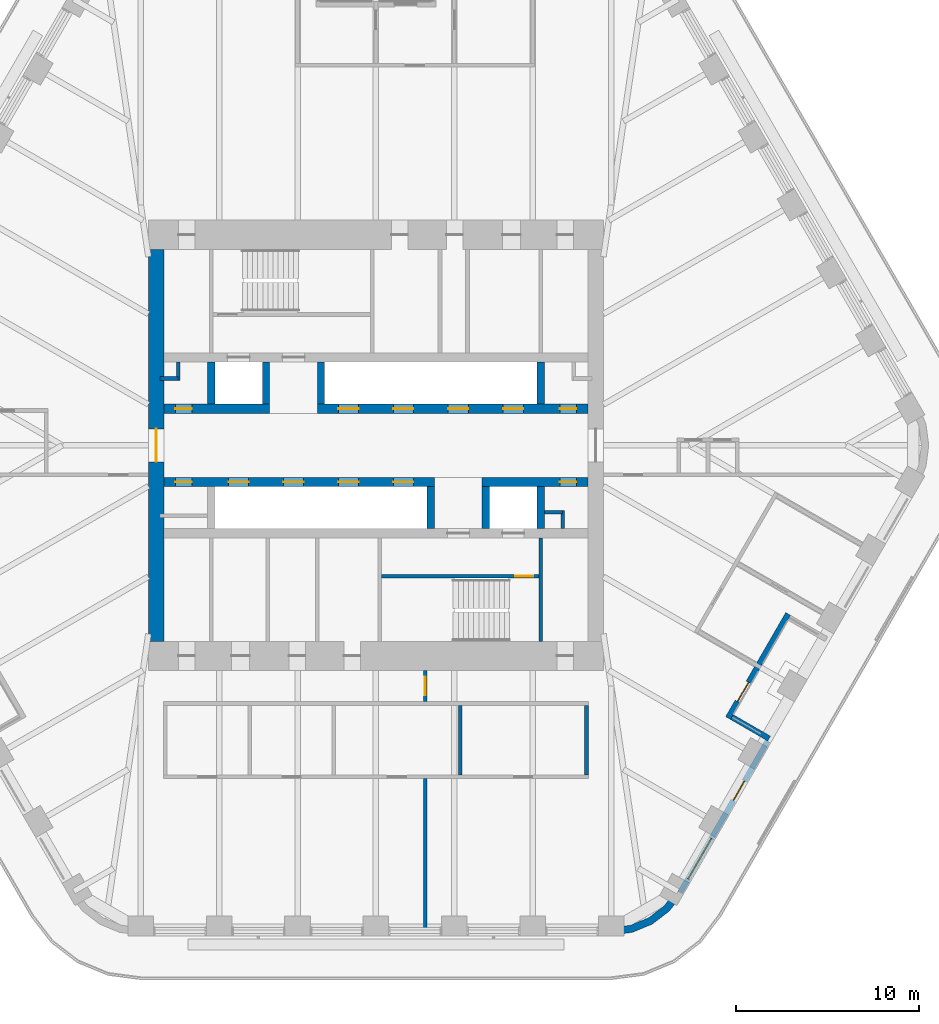
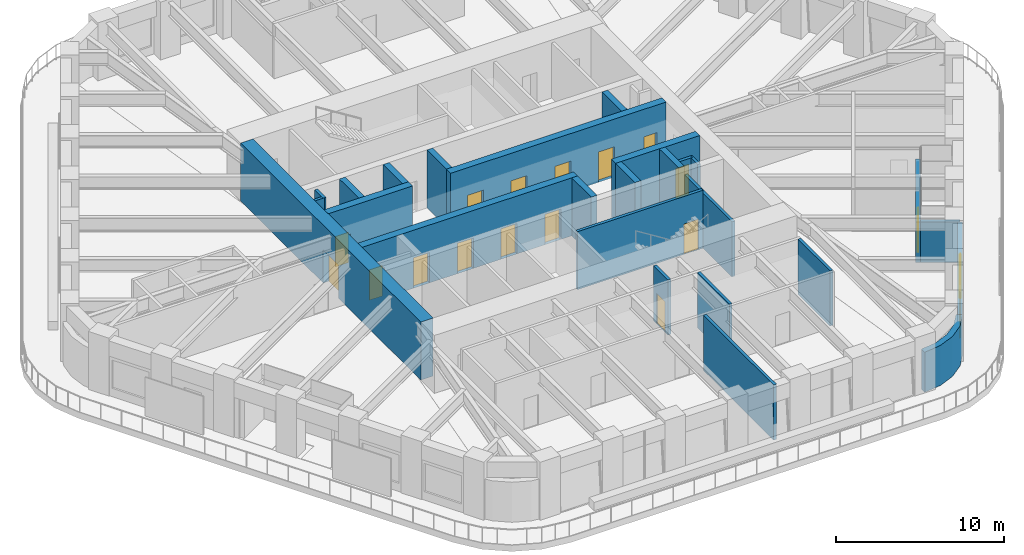
# One storey, part 14 of 19: 26 walls, 17 doors, 1 window, 18 openings.
"""IFC4 building model written with IfcOpenShell, lengths in metres."""

from ifc_helpers import new_model, si_unit, direction, frame, frame_2d, origin, place, context, subcontext, project, spatial, polyline, rectangle, outline, extrude, material, layer, layer_set, type_object, element, fill, save


model = new_model("IFC4")

# Units and contexts
model_context = context("Model", 3, precision=1e-05, world=origin(), true_north=direction((0.0, 1.0)))
body_context = subcontext(model_context, "Body", "Model", "MODEL_VIEW")
ifc_project = project(units=[si_unit("LENGTHUNIT", "METRE"), si_unit("AREAUNIT", "SQUARE_METRE"), si_unit("VOLUMEUNIT", "CUBIC_METRE"), si_unit("PLANEANGLEUNIT", "RADIAN"), si_unit("MASSUNIT", "GRAM", prefix="KILO")], contexts=[model_context])

# Site, building, storey
site_placement = place(None, origin())
site = spatial("IfcSite", under=ifc_project, at=site_placement, CompositionType="ELEMENT")
building_placement = place(site_placement, origin())
building = spatial("IfcBuilding", under=site, at=building_placement, Name="Tarfa Lantern Tower", CompositionType="ELEMENT")
storey_placement = place(building_placement, frame((0.0, 0.0, 328.300048828125)))
storey = spatial("IfcBuildingStorey", under=building, at=storey_placement, Name="L74", CompositionType="ELEMENT", Elevation=328.300048828125)

# Wall, openings, door, window
ifc_material_1 = material(Name="Limestone cladding on blockwork", Category="masonry")
ifc_layer_1 = layer(ifc_material_1, 0.300048828125)
ifc_layer_set_1 = layer_set([ifc_layer_1], Name="EW1 STONE-CLAD WALL 300")
wall_type_1 = type_object("IfcWallType", Name="EW1 STONE-CLAD WALL 300", PredefinedType="SOLIDWALL", material=ifc_layer_set_1)
wall_1_placement = place(storey_placement, frame((16.61328125, -24.425048828125, 0.0), z_axis=(0.0, 0.0, 1.0), x_axis=(0.499996453679, 0.866027451244, 0.0)))
wall_1 = element("IfcWall", 1, at=wall_1_placement, inside=storey, type_object=wall_type_1, Name="Stone wall SE", PredefinedType="SOLIDWALL", context=body_context, shape_type="SweptSolid", body=[
    extrude(rectangle(XDim=9.56396484375, YDim=0.300048828125, at=frame_2d((4.781982421875, 0.0))), origin(), (0.0, 0.0, 1.0), 2.89990234375),
])
opening_1_placement = place(wall_1_placement, frame((0.865966796875, 0.0, 0.60009765625)))
opening_1 = element("IfcOpeningElement", 2, at=opening_1_placement, cuts=wall_1, Name="Opening W17", PredefinedType="OPENING", context=body_context, shape_type="SweptSolid", body=[
    extrude(rectangle(XDim=2.550048828125, YDim=2.050048828125, at=frame_2d((1.27490234375, 1.02490234375))), frame((0.0, 0.159912109375, 0.0), z_axis=(0.0, -1.0, 0.0), x_axis=(1.0, 0.0, 0.0)), (0.0, 0.0, 1.0), 0.320068359375),
])
opening_2_placement = place(wall_1_placement, frame((5.822998046875, 0.0, 0.0)))
opening_2 = element("IfcOpeningElement", 3, at=opening_2_placement, cuts=wall_1, Name="Opening D39", PredefinedType="OPENING", context=body_context, shape_type="SweptSolid", body=[
    extrude(rectangle(XDim=1.199951171875, YDim=2.39990234375, at=frame_2d((0.60009765625, 1.199951171875))), frame((0.0, 0.159912109375, 0.0), z_axis=(0.0, -1.0, 0.0), x_axis=(1.0, 0.0, 0.0)), (0.0, 0.0, 1.0), 0.320068359375),
])
ifc_material_2 = material(Name="Aluminium framed glazed door", Category="aluminium")
door_type_1 = type_object("IfcDoorType", Name="BE3 BALCONY DOOR 1200x2400", OperationType="SINGLE_SWING_RIGHT", PredefinedType="DOOR", material=ifc_material_2)
door_1_placement = place(opening_2_placement, origin())
door_1 = element("IfcDoor", 4, at=door_1_placement, inside=storey, type_object=door_type_1, Name="Balcony door SE", OperationType="SINGLE_SWING_LEFT", OverallHeight=2.39990234375, OverallWidth=1.199951171875, PredefinedType="DOOR", context=body_context, shape_type="SweptSolid", body=[
    extrude(rectangle(XDim=1.199951171875, YDim=2.39990234375, at=frame_2d((0.60009765625, 1.199951171875))), frame((0.0, 0.02490234375, 0.0), z_axis=(0.0, -1.0, 0.0), x_axis=(1.0, 0.0, 0.0)), (0.0, 0.0, 1.0), 0.050048828125),
])
fill(opening_2, door_1)
ifc_material_3 = material(Name="Aluminium frame, double glazed", Category="aluminium")
window_type = type_object("IfcWindowType", Name="W17 FULL-HEIGHT GLAZING 2550x2050", PartitioningType="SINGLE_PANEL", PredefinedType="WINDOW", material=ifc_material_3)
window_placement = place(opening_1_placement, origin())
window = element("IfcWindow", 5, at=window_placement, inside=storey, type_object=window_type, Name="Window SE 1", OverallHeight=2.050048828125, OverallWidth=2.550048828125, PartitioningType="SINGLE_PANEL", PredefinedType="WINDOW", context=body_context, shape_type="SweptSolid", body=[
    extrude(rectangle(XDim=2.550048828125, YDim=2.050048828125, at=frame_2d((1.27490234375, 1.02490234375))), frame((0.0, 0.030029296875, 0.0), z_axis=(0.0, -1.0, 0.0), x_axis=(1.0, 0.0, 0.0)), (0.0, 0.0, 1.0), 0.06005859375),
])
fill(opening_1, window)

# Wall
wall_2_placement = place(storey_placement, frame((21.47021484375, -16.012451171875, 0.0), z_axis=(0.0, 0.0, 1.0), x_axis=(-0.866016039709, 0.500016218704, 0.0)))
element("IfcWall", 6, at=wall_2_placement, inside=storey, type_object=wall_type_1, Name="Terrace return SE 1", PredefinedType="SOLIDWALL", context=body_context, shape_type="SweptSolid", body=[
    extrude(rectangle(XDim=2.35009765625, YDim=0.300048828125, at=frame_2d((1.175048828125, 0.0))), origin(), (0.0, 0.0, 1.0), 2.89990234375),
])

# Wall, opening, door
wall_3_placement = place(storey_placement, frame((19.230224609375, -14.892333984375, 0.0), z_axis=(0.0, 0.0, 1.0), x_axis=(0.499999339774, 0.866025784966, 0.0)))
wall_3 = element("IfcWall", 7, at=wall_3_placement, inside=storey, type_object=wall_type_1, Name="Stone wall SES", PredefinedType="SOLIDWALL", context=body_context, shape_type="SweptSolid", body=[
    extrude(rectangle(XDim=6.56396484375, YDim=0.300048828125, at=frame_2d((3.281982421875, 0.0))), origin(), (0.0, 0.0, 1.0), 2.89990234375),
])
opening_3_placement = place(wall_3_placement, frame((1.041015625, 0.0, 0.0)))
opening_3 = element("IfcOpeningElement", 8, at=opening_3_placement, cuts=wall_3, Name="Opening D40", PredefinedType="OPENING", context=body_context, shape_type="SweptSolid", body=[
    extrude(rectangle(XDim=1.199951171875, YDim=2.39990234375, at=frame_2d((0.60009765625, 1.199951171875))), frame((0.0, 0.159912109375, 0.0), z_axis=(0.0, -1.0, 0.0), x_axis=(1.0, 0.0, 0.0)), (0.0, 0.0, 1.0), 0.320068359375),
])
door_2_placement = place(opening_3_placement, origin())
door_2 = element("IfcDoor", 9, at=door_2_placement, inside=storey, type_object=door_type_1, Name="Balcony door SES", OperationType="SINGLE_SWING_LEFT", OverallHeight=2.39990234375, OverallWidth=1.199951171875, PredefinedType="DOOR", context=body_context, shape_type="SweptSolid", body=[
    extrude(rectangle(XDim=1.199951171875, YDim=2.39990234375, at=frame_2d((0.60009765625, 1.199951171875))), frame((0.0, 0.02490234375, 0.0), z_axis=(0.0, -1.0, 0.0), x_axis=(1.0, 0.0, 0.0)), (0.0, 0.0, 1.0), 0.050048828125),
])
fill(opening_3, door_2)

# Walls
ifc_layer_2 = layer(ifc_material_1, 0.39990234375)
ifc_layer_set_2 = layer_set([ifc_layer_2], Name="EW2 CURVED STONE CORNER 400")
wall_type_2 = type_object("IfcWallType", Name="EW2 CURVED STONE CORNER 400", PredefinedType="SOLIDWALL", material=ifc_layer_set_2)
wall_4_placement = place(storey_placement, origin())
element("IfcWall", 10, at=wall_4_placement, inside=storey, type_object=wall_type_2, Name="Stone corner S-SE", PredefinedType="SOLIDWALL", context=body_context, shape_type="SweptSolid", body=[
    extrude(outline(polyline([(12.845947265625, -26.75), (14.0107421875, -26.5966796875), (15.095947265625, -26.147216796875), (16.028076171875, -25.431884765625), (16.7431640625, -24.5), (16.396728515625, -24.300048828125), (15.7451171875, -25.149169921875), (14.89599609375, -25.80078125), (13.9072265625, -26.210205078125), (12.845947265625, -26.35009765625), (12.845947265625, -26.75)])), origin(), (0.0, 0.0, 1.0), 2.89990234375),
])
ifc_material_4 = material(Name="Concrete blockwork", Category="masonry")
ifc_layer_3 = layer(ifc_material_4, 0.199951171875)
ifc_layer_set_3 = layer_set([ifc_layer_3], Name="IW1 BLOCKWORK PARTITION 200 EI 120")
wall_type_3 = type_object("IfcWallType", Name="IW1 BLOCKWORK PARTITION 200 EI 120", PredefinedType="PARTITIONING", material=ifc_layer_set_3)
wall_5_placement = place(storey_placement, frame((9.0, -5.050048828125, 0.0), z_axis=(0.0, 0.0, 1.0), x_axis=(0.0, -1.0, 0.0)))
element("IfcWall", 11, at=wall_5_placement, inside=storey, type_object=wall_type_3, Name="Core partition", PredefinedType="PARTITIONING", context=body_context, shape_type="SweptSolid", body=[
    extrude(rectangle(XDim=5.64990234375, YDim=0.199951171875, at=frame_2d((2.824951171875, 0.0))), origin(), (0.0, 0.0, 1.0), 4.0),
])
for number, where, z_axis, x_axis, name in (
    (12, (-11.800048828125, 3.64990234375, 0.0), (0.0, 0.0, 1.0), (1.0, 0.0, 0.0), "Core partition"),
    (13, (-10.800048828125, 3.550048828125, 0.0), (0.0, 0.0, 1.0), (0.0, 1.0, 0.0), "Core partition"),
    (14, (10.199951171875, -3.64990234375, 0.0), (0.0, 0.0, 1.0), (-1.0, 0.0, 0.0), "Core partition"),
    (15, (10.199951171875, -3.550048828125, 0.0), (0.0, 0.0, 1.0), (0.0, -1.0, 0.0), "Core partition"),
):
    element("IfcWall", number, at=place(storey_placement, frame(where, z_axis=z_axis, x_axis=x_axis)), inside=storey, type_object=wall_type_3, Name=name, PredefinedType="PARTITIONING", context=body_context, shape_type="SweptSolid", body=[
        extrude(rectangle(XDim=1.0, YDim=0.199951171875, at=frame_2d((0.5, 0.0))), origin(), (0.0, 0.0, 1.0), 4.0),
    ])
ifc_material_5 = material(Name="Gypsum board on steel studs", Category="steel")
ifc_layer_4 = layer(ifc_material_5, 0.2099609375)
ifc_layer_set_4 = layer_set([ifc_layer_4], Name="IW2 ACOUSTIC PARTITION 200")
wall_type_4 = type_object("IfcWallType", Name="IW2 ACOUSTIC PARTITION 200", PredefinedType="PARTITIONING", material=ifc_layer_set_4)
for number, where, z_axis, x_axis, name in (
    (16, (11.5, -14.199951171875, 0.0), (0.0, 0.0, 1.0), (0.0, -1.0, 0.0), "Partition"),
    (17, (4.60009765625, -14.199951171875, 0.0), (0.0, 0.0, 1.0), (0.0, -1.0, 0.0), "Partition"),
):
    element("IfcWall", number, at=place(storey_placement, frame(where, z_axis=z_axis, x_axis=x_axis)), inside=storey, type_object=wall_type_4, Name=name, PredefinedType="PARTITIONING", context=body_context, shape_type="SweptSolid", body=[
        extrude(rectangle(XDim=3.800048828125, YDim=0.199951171875, at=frame_2d((1.89990234375, 0.0))), origin(), (0.0, 0.0, 1.0), 4.0),
    ])

# Wall, opening, door
wall_6_placement = place(storey_placement, frame((2.699951171875, -12.300048828125, 0.0), z_axis=(0.0, 0.0, 1.0), x_axis=(0.0, -1.0, 0.0)))
wall_6 = element("IfcWall", 18, at=wall_6_placement, inside=storey, type_object=wall_type_4, Name="Partition", PredefinedType="PARTITIONING", context=body_context, shape_type="SweptSolid", body=[
    extrude(rectangle(XDim=1.699951171875, YDim=0.199951171875, at=frame_2d((0.85009765625, 0.0))), origin(), (0.0, 0.0, 1.0), 4.0),
])
opening_4_placement = place(wall_6_placement, frame((0.35009765625, 0.0, 0.0)))
opening_4 = element("IfcOpeningElement", 19, at=opening_4_placement, cuts=wall_6, Name="Opening D35", PredefinedType="OPENING", context=body_context, shape_type="SweptSolid", body=[
    extrude(rectangle(XDim=1.0, YDim=2.199951171875, at=frame_2d((0.5, 1.10009765625))), frame((0.0, 0.10986328125, 0.0), z_axis=(0.0, -1.0, 0.0), x_axis=(1.0, 0.0, 0.0)), (0.0, 0.0, 1.0), 0.219970703125),
])
ifc_material_6 = material(Name="Timber door", Category="wood")
door_type_2 = type_object("IfcDoorType", Name="DR1 ROOM DOOR 1000x2200", OperationType="SINGLE_SWING_LEFT", PredefinedType="DOOR", material=ifc_material_6)
door_3_placement = place(opening_4_placement, origin())
door_3 = element("IfcDoor", 20, at=door_3_placement, inside=storey, type_object=door_type_2, Name="Zone door", OperationType="SINGLE_SWING_LEFT", OverallHeight=2.199951171875, OverallWidth=1.0, PredefinedType="DOOR", context=body_context, shape_type="SweptSolid", body=[
    extrude(rectangle(XDim=1.0, YDim=2.199951171875, at=frame_2d((0.5, 1.10009765625))), frame((0.0, 0.02490234375, 0.0), z_axis=(0.0, -1.0, 0.0), x_axis=(1.0, 0.0, 0.0)), (0.0, 0.0, 1.0), 0.050048828125),
])
fill(opening_4, door_3)

# Wall
wall_7_placement = place(storey_placement, frame((2.699951171875, -18.199951171875, 0.0), z_axis=(0.0, 0.0, 1.0), x_axis=(0.0, -1.0, 0.0)))
element("IfcWall", 21, at=wall_7_placement, inside=storey, type_object=wall_type_4, Name="Partition", PredefinedType="PARTITIONING", context=body_context, shape_type="SweptSolid", body=[
    extrude(rectangle(XDim=8.35009765625, YDim=0.199951171875, at=frame_2d((4.175048828125, 0.0))), origin(), (0.0, 0.0, 1.0), 4.0),
])

# Wall, opening, door
ifc_material_7 = material(Name="Concrete C80/95", Category="concrete")
ifc_layer_5 = layer(ifc_material_7, 0.199951171875)
ifc_layer_set_5 = layer_set([ifc_layer_5], Name="SW12 CORE WALL 200")
wall_type_5 = type_object("IfcWallType", Name="SW12 CORE WALL 200", PredefinedType="SHEAR", material=ifc_layer_set_5)
wall_8_placement = place(storey_placement, frame((8.89990234375, -7.14990234375, 0.0), z_axis=(0.0, 0.0, 1.0), x_axis=(-1.0, 0.0, 0.0)))
wall_8 = element("IfcWall", 22, at=wall_8_placement, inside=storey, type_object=wall_type_5, Name="Core wall stair partition S", PredefinedType="SHEAR", context=body_context, shape_type="SweptSolid", body=[
    extrude(rectangle(XDim=8.599853515625, YDim=0.199951171875, at=frame_2d((4.2998046875, 0.0))), origin(), (0.0, 0.0, 1.0), 4.199951171875),
])
opening_5_placement = place(wall_8_placement, frame((0.300048828125, 0.0, 0.0)))
opening_5 = element("IfcOpeningElement", 23, at=opening_5_placement, cuts=wall_8, Name="Opening D20", PredefinedType="OPENING", context=body_context, shape_type="SweptSolid", body=[
    extrude(rectangle(XDim=1.0, YDim=2.199951171875, at=frame_2d((0.5, 1.10009765625))), frame((0.0, 0.10986328125, 0.0), z_axis=(0.0, -1.0, 0.0), x_axis=(1.0, 0.0, 0.0)), (0.0, 0.0, 1.0), 0.219970703125),
])
ifc_material_8 = material(Name="Steel fire door", Category="steel")
door_type_3 = type_object("IfcDoorType", Name="DF2 STAIR DOOR 1000x2200", OperationType="SINGLE_SWING_LEFT", PredefinedType="DOOR", material=ifc_material_8)
door_4_placement = place(opening_5_placement, origin())
door_4 = element("IfcDoor", 24, at=door_4_placement, inside=storey, type_object=door_type_3, Name="Stair door", OperationType="SINGLE_SWING_RIGHT", OverallHeight=2.199951171875, OverallWidth=1.0, PredefinedType="DOOR", context=body_context, shape_type="SweptSolid", body=[
    extrude(rectangle(XDim=1.0, YDim=2.199951171875, at=frame_2d((0.5, 1.10009765625))), frame((0.0, 0.02490234375, 0.0), z_axis=(0.0, -1.0, 0.0), x_axis=(1.0, 0.0, 0.0)), (0.0, 0.0, 1.0), 0.050048828125),
])
fill(opening_5, door_4)

ifc_layer_6 = layer(ifc_material_7, 0.85009765625)
ifc_layer_set_6 = layer_set([ifc_layer_6], Name="SW3 CORE WALL 850")
wall_type_6 = type_object("IfcWallType", Name="SW3 CORE WALL 850", PredefinedType="SHEAR", material=ifc_layer_set_6)
wall_9_placement = place(storey_placement, frame((-12.0, 10.699951171875, 0.0), z_axis=(0.0, 0.0, 1.0), x_axis=(0.0, -1.0, 0.0)))
wall_9 = element("IfcWall", 25, at=wall_9_placement, inside=storey, type_object=wall_type_6, Name="Core wall W", PredefinedType="SHEAR", context=body_context, shape_type="SweptSolid", body=[
    extrude(rectangle(XDim=21.39990234375, YDim=0.85009765625, at=frame_2d((10.699951171875, 0.0))), origin(), (0.0, 0.0, 1.0), 4.199951171875),
])
opening_6_placement = place(wall_9_placement, frame((9.800048828125, 0.0, 0.0)))
opening_6 = element("IfcOpeningElement", 26, at=opening_6_placement, cuts=wall_9, Name="Opening D08", PredefinedType="OPENING", context=body_context, shape_type="SweptSolid", body=[
    extrude(rectangle(XDim=1.800048828125, YDim=2.39990234375, at=frame_2d((0.89990234375, 1.199951171875))), frame((0.0, 0.43505859375, 0.0), z_axis=(0.0, -1.0, 0.0), x_axis=(1.0, 0.0, 0.0)), (0.0, 0.0, 1.0), 0.8701171875),
])
door_type_4 = type_object("IfcDoorType", Name="DL1 LOBBY DOOR 1800x2400", OperationType="DOUBLE_DOOR_SINGLE_SWING", PredefinedType="DOOR", material=ifc_material_8)
door_5_placement = place(opening_6_placement, frame((1.800048828125, 0.0, 0.0), z_axis=(0.0, 0.0, 1.0), x_axis=(-1.0, 0.0, 0.0)))
door_5 = element("IfcDoor", 27, at=door_5_placement, inside=storey, type_object=door_type_4, Name="Lift lobby door", OperationType="DOUBLE_DOOR_SINGLE_SWING", OverallHeight=2.39990234375, OverallWidth=1.800048828125, PredefinedType="DOOR", context=body_context, shape_type="SweptSolid", body=[
    extrude(rectangle(XDim=1.800048828125, YDim=2.39990234375, at=frame_2d((0.89990234375, 1.199951171875))), frame((0.0, 0.02490234375, 0.0), z_axis=(0.0, -1.0, 0.0), x_axis=(1.0, 0.0, 0.0)), (0.0, 0.0, 1.0), 0.050048828125),
])
fill(opening_6, door_5)

ifc_layer_7 = layer(ifc_material_7, 0.5)
ifc_layer_set_7 = layer_set([ifc_layer_7], Name="SW5 CORE WALL 500")
wall_type_7 = type_object("IfcWallType", Name="SW5 CORE WALL 500", PredefinedType="SHEAR", material=ifc_layer_set_7)
wall_10_placement = place(storey_placement, frame((-11.574951171875, 2.0, 0.0), z_axis=(0.0, 0.0, 1.0), x_axis=(1.0, 0.0, 0.0)))
wall_10 = element("IfcWall", 28, at=wall_10_placement, inside=storey, type_object=wall_type_7, Name="Core wall lobby west N", PredefinedType="SHEAR", context=body_context, shape_type="SweptSolid", body=[
    extrude(rectangle(XDim=5.77490234375, YDim=0.5, at=frame_2d((2.887451171875, 0.0))), origin(), (0.0, 0.0, 1.0), 4.199951171875),
])
opening_7_placement = place(wall_10_placement, frame((0.625, 0.0, 0.0)))
opening_7 = element("IfcOpeningElement", 29, at=opening_7_placement, cuts=wall_10, Name="Opening D11", PredefinedType="OPENING", context=body_context, shape_type="SweptSolid", body=[
    extrude(rectangle(XDim=0.89990234375, YDim=2.199951171875, at=frame_2d((0.449951171875, 1.10009765625))), frame((0.0, 0.260009765625, 0.0), z_axis=(0.0, -1.0, 0.0), x_axis=(1.0, 0.0, 0.0)), (0.0, 0.0, 1.0), 0.52001953125),
])
door_type_5 = type_object("IfcDoorType", Name="DF6 SERVICE ROOM DOOR 900x2200", OperationType="SINGLE_SWING_LEFT", PredefinedType="DOOR", material=ifc_material_8)
door_6_placement = place(opening_7_placement, origin())
door_6 = element("IfcDoor", 30, at=door_6_placement, inside=storey, type_object=door_type_5, Name="Service room door", OperationType="SINGLE_SWING_RIGHT", OverallHeight=2.199951171875, OverallWidth=0.89990234375, PredefinedType="DOOR", context=body_context, shape_type="SweptSolid", body=[
    extrude(rectangle(XDim=0.89990234375, YDim=2.199951171875, at=frame_2d((0.449951171875, 1.10009765625))), frame((0.0, 0.02490234375, 0.0), z_axis=(0.0, -1.0, 0.0), x_axis=(1.0, 0.0, 0.0)), (0.0, 0.0, 1.0), 0.050048828125),
])
fill(opening_7, door_6)

# Wall, openings, doors
wall_11_placement = place(storey_placement, frame((-3.199951171875, 2.0, 0.0), z_axis=(0.0, 0.0, 1.0), x_axis=(1.0, 0.0, 0.0)))
wall_11 = element("IfcWall", 31, at=wall_11_placement, inside=storey, type_object=wall_type_7, Name="Core wall lobby east N", PredefinedType="SHEAR", context=body_context, shape_type="SweptSolid", body=[
    extrude(rectangle(XDim=14.77490234375, YDim=0.5, at=frame_2d((7.387451171875, 0.0))), origin(), (0.0, 0.0, 1.0), 4.199951171875),
])
opening_8_placement = place(wall_11_placement, frame((13.25, 0.0, 0.0)))
opening_8 = element("IfcOpeningElement", 32, at=opening_8_placement, cuts=wall_11, Name="Opening D09", PredefinedType="OPENING", context=body_context, shape_type="SweptSolid", body=[
    extrude(rectangle(XDim=0.89990234375, YDim=2.199951171875, at=frame_2d((0.449951171875, 1.10009765625))), frame((0.0, 0.260009765625, 0.0), z_axis=(0.0, -1.0, 0.0), x_axis=(1.0, 0.0, 0.0)), (0.0, 0.0, 1.0), 0.52001953125),
])
opening_9_placement = place(wall_11_placement, frame((1.14990234375, 0.0, 0.0)))
opening_9 = element("IfcOpeningElement", 33, at=opening_9_placement, cuts=wall_11, Name="Opening LD03", PredefinedType="OPENING", context=body_context, shape_type="SweptSolid", body=[
    extrude(rectangle(XDim=1.10009765625, YDim=2.199951171875, at=frame_2d((0.550048828125, 1.10009765625))), frame((0.0, 0.260009765625, 0.0), z_axis=(0.0, -1.0, 0.0), x_axis=(1.0, 0.0, 0.0)), (0.0, 0.0, 1.0), 0.52001953125),
])
opening_10_placement = place(wall_11_placement, frame((4.14990234375, 0.0, 0.0)))
opening_10 = element("IfcOpeningElement", 34, at=opening_10_placement, cuts=wall_11, Name="Opening LD04", PredefinedType="OPENING", context=body_context, shape_type="SweptSolid", body=[
    extrude(rectangle(XDim=1.10009765625, YDim=2.199951171875, at=frame_2d((0.550048828125, 1.10009765625))), frame((0.0, 0.260009765625, 0.0), z_axis=(0.0, -1.0, 0.0), x_axis=(1.0, 0.0, 0.0)), (0.0, 0.0, 1.0), 0.52001953125),
])
opening_11_placement = place(wall_11_placement, frame((7.14990234375, 0.0, 0.0)))
opening_11 = element("IfcOpeningElement", 35, at=opening_11_placement, cuts=wall_11, Name="Opening LD05", PredefinedType="OPENING", context=body_context, shape_type="SweptSolid", body=[
    extrude(rectangle(XDim=1.10009765625, YDim=2.199951171875, at=frame_2d((0.550048828125, 1.10009765625))), frame((0.0, 0.260009765625, 0.0), z_axis=(0.0, -1.0, 0.0), x_axis=(1.0, 0.0, 0.0)), (0.0, 0.0, 1.0), 0.52001953125),
])
opening_12_placement = place(wall_11_placement, frame((10.14990234375, 0.0, 0.0)))
opening_12 = element("IfcOpeningElement", 36, at=opening_12_placement, cuts=wall_11, Name="Opening LD06", PredefinedType="OPENING", context=body_context, shape_type="SweptSolid", body=[
    extrude(rectangle(XDim=1.10009765625, YDim=2.199951171875, at=frame_2d((0.550048828125, 1.10009765625))), frame((0.0, 0.260009765625, 0.0), z_axis=(0.0, -1.0, 0.0), x_axis=(1.0, 0.0, 0.0)), (0.0, 0.0, 1.0), 0.52001953125),
])
door_7_placement = place(opening_8_placement, origin())
door_7 = element("IfcDoor", 37, at=door_7_placement, inside=storey, type_object=door_type_5, Name="Service room door", OperationType="SINGLE_SWING_LEFT", OverallHeight=2.199951171875, OverallWidth=0.89990234375, PredefinedType="DOOR", context=body_context, shape_type="SweptSolid", body=[
    extrude(rectangle(XDim=0.89990234375, YDim=2.199951171875, at=frame_2d((0.449951171875, 1.10009765625))), frame((0.0, 0.02490234375, 0.0), z_axis=(0.0, -1.0, 0.0), x_axis=(1.0, 0.0, 0.0)), (0.0, 0.0, 1.0), 0.050048828125),
])
fill(opening_8, door_7)
ifc_material_9 = material(Name="Stainless steel lift door", Category="steel")
door_type_6 = type_object("IfcDoorType", Name="LD2 LIFT LANDING DOOR 1100x2200", OperationType="SLIDING_TO_LEFT", PredefinedType="DOOR", material=ifc_material_9)
door_8_placement = place(opening_9_placement, frame((1.10009765625, 0.0, 0.0), z_axis=(0.0, 0.0, 1.0), x_axis=(-1.0, 0.0, 0.0)))
door_8 = element("IfcDoor", 38, at=door_8_placement, inside=storey, type_object=door_type_6, Name="Landing door PD1", OperationType="SLIDING_TO_LEFT", OverallHeight=2.199951171875, OverallWidth=1.10009765625, PredefinedType="DOOR", context=body_context, shape_type="SweptSolid", body=[
    extrude(rectangle(XDim=1.10009765625, YDim=2.199951171875, at=frame_2d((0.550048828125, 1.10009765625))), frame((0.0, 0.02490234375, 0.0), z_axis=(0.0, -1.0, 0.0), x_axis=(1.0, 0.0, 0.0)), (0.0, 0.0, 1.0), 0.050048828125),
])
fill(opening_9, door_8)
door_9_placement = place(opening_10_placement, frame((1.10009765625, 0.0, 0.0), z_axis=(0.0, 0.0, 1.0), x_axis=(-1.0, 0.0, 0.0)))
door_9 = element("IfcDoor", 39, at=door_9_placement, inside=storey, type_object=door_type_6, Name="Landing door PD2", OperationType="SLIDING_TO_LEFT", OverallHeight=2.199951171875, OverallWidth=1.10009765625, PredefinedType="DOOR", context=body_context, shape_type="SweptSolid", body=[
    extrude(rectangle(XDim=1.10009765625, YDim=2.199951171875, at=frame_2d((0.550048828125, 1.10009765625))), frame((0.0, 0.02490234375, 0.0), z_axis=(0.0, -1.0, 0.0), x_axis=(1.0, 0.0, 0.0)), (0.0, 0.0, 1.0), 0.050048828125),
])
fill(opening_10, door_9)
door_10_placement = place(opening_11_placement, frame((1.10009765625, 0.0, 0.0), z_axis=(0.0, 0.0, 1.0), x_axis=(-1.0, 0.0, 0.0)))
door_10 = element("IfcDoor", 40, at=door_10_placement, inside=storey, type_object=door_type_6, Name="Landing door PD3", OperationType="SLIDING_TO_LEFT", OverallHeight=2.199951171875, OverallWidth=1.10009765625, PredefinedType="DOOR", context=body_context, shape_type="SweptSolid", body=[
    extrude(rectangle(XDim=1.10009765625, YDim=2.199951171875, at=frame_2d((0.550048828125, 1.10009765625))), frame((0.0, 0.02490234375, 0.0), z_axis=(0.0, -1.0, 0.0), x_axis=(1.0, 0.0, 0.0)), (0.0, 0.0, 1.0), 0.050048828125),
])
fill(opening_11, door_10)
door_11_placement = place(opening_12_placement, frame((1.10009765625, 0.0, 0.0), z_axis=(0.0, 0.0, 1.0), x_axis=(-1.0, 0.0, 0.0)))
door_11 = element("IfcDoor", 41, at=door_11_placement, inside=storey, type_object=door_type_6, Name="Landing door PD4", OperationType="SLIDING_TO_LEFT", OverallHeight=2.199951171875, OverallWidth=1.10009765625, PredefinedType="DOOR", context=body_context, shape_type="SweptSolid", body=[
    extrude(rectangle(XDim=1.10009765625, YDim=2.199951171875, at=frame_2d((0.550048828125, 1.10009765625))), frame((0.0, 0.02490234375, 0.0), z_axis=(0.0, -1.0, 0.0), x_axis=(1.0, 0.0, 0.0)), (0.0, 0.0, 1.0), 0.050048828125),
])
fill(opening_12, door_11)

# Wall, opening, door
wall_12_placement = place(storey_placement, frame((11.574951171875, -2.0, 0.0), z_axis=(0.0, 0.0, 1.0), x_axis=(-1.0, 0.0, 0.0)))
wall_12 = element("IfcWall", 42, at=wall_12_placement, inside=storey, type_object=wall_type_7, Name="Core wall lobby west S", PredefinedType="SHEAR", context=body_context, shape_type="SweptSolid", body=[
    extrude(rectangle(XDim=5.77490234375, YDim=0.5, at=frame_2d((2.887451171875, 0.0))), origin(), (0.0, 0.0, 1.0), 4.199951171875),
])
opening_13_placement = place(wall_12_placement, frame((0.625, 0.0, 0.0)))
opening_13 = element("IfcOpeningElement", 43, at=opening_13_placement, cuts=wall_12, Name="Opening D12", PredefinedType="OPENING", context=body_context, shape_type="SweptSolid", body=[
    extrude(rectangle(XDim=0.89990234375, YDim=2.199951171875, at=frame_2d((0.449951171875, 1.10009765625))), frame((0.0, 0.260009765625, 0.0), z_axis=(0.0, -1.0, 0.0), x_axis=(1.0, 0.0, 0.0)), (0.0, 0.0, 1.0), 0.52001953125),
])
door_12_placement = place(opening_13_placement, origin())
door_12 = element("IfcDoor", 44, at=door_12_placement, inside=storey, type_object=door_type_5, Name="Service room door", OperationType="SINGLE_SWING_RIGHT", OverallHeight=2.199951171875, OverallWidth=0.89990234375, PredefinedType="DOOR", context=body_context, shape_type="SweptSolid", body=[
    extrude(rectangle(XDim=0.89990234375, YDim=2.199951171875, at=frame_2d((0.449951171875, 1.10009765625))), frame((0.0, 0.02490234375, 0.0), z_axis=(0.0, -1.0, 0.0), x_axis=(1.0, 0.0, 0.0)), (0.0, 0.0, 1.0), 0.050048828125),
])
fill(opening_13, door_12)

# Wall, openings, doors
wall_13_placement = place(storey_placement, frame((3.199951171875, -2.0, 0.0), z_axis=(0.0, 0.0, 1.0), x_axis=(-1.0, 0.0, 0.0)))
wall_13 = element("IfcWall", 45, at=wall_13_placement, inside=storey, type_object=wall_type_7, Name="Core wall lobby east S", PredefinedType="SHEAR", context=body_context, shape_type="SweptSolid", body=[
    extrude(rectangle(XDim=14.77490234375, YDim=0.5, at=frame_2d((7.387451171875, 0.0))), origin(), (0.0, 0.0, 1.0), 4.199951171875),
])
opening_14_placement = place(wall_13_placement, frame((13.25, 0.0, 0.0)))
opening_14 = element("IfcOpeningElement", 46, at=opening_14_placement, cuts=wall_13, Name="Opening D10", PredefinedType="OPENING", context=body_context, shape_type="SweptSolid", body=[
    extrude(rectangle(XDim=0.89990234375, YDim=2.199951171875, at=frame_2d((0.449951171875, 1.10009765625))), frame((0.0, 0.260009765625, 0.0), z_axis=(0.0, -1.0, 0.0), x_axis=(1.0, 0.0, 0.0)), (0.0, 0.0, 1.0), 0.52001953125),
])
opening_15_placement = place(wall_13_placement, frame((1.14990234375, 0.0, 0.0)))
opening_15 = element("IfcOpeningElement", 47, at=opening_15_placement, cuts=wall_13, Name="Opening LD07", PredefinedType="OPENING", context=body_context, shape_type="SweptSolid", body=[
    extrude(rectangle(XDim=1.10009765625, YDim=2.199951171875, at=frame_2d((0.550048828125, 1.10009765625))), frame((0.0, 0.260009765625, 0.0), z_axis=(0.0, -1.0, 0.0), x_axis=(1.0, 0.0, 0.0)), (0.0, 0.0, 1.0), 0.52001953125),
])
opening_16_placement = place(wall_13_placement, frame((4.14990234375, 0.0, 0.0)))
opening_16 = element("IfcOpeningElement", 48, at=opening_16_placement, cuts=wall_13, Name="Opening LD08", PredefinedType="OPENING", context=body_context, shape_type="SweptSolid", body=[
    extrude(rectangle(XDim=1.10009765625, YDim=2.199951171875, at=frame_2d((0.550048828125, 1.10009765625))), frame((0.0, 0.260009765625, 0.0), z_axis=(0.0, -1.0, 0.0), x_axis=(1.0, 0.0, 0.0)), (0.0, 0.0, 1.0), 0.52001953125),
])
opening_17_placement = place(wall_13_placement, frame((7.14990234375, 0.0, 0.0)))
opening_17 = element("IfcOpeningElement", 49, at=opening_17_placement, cuts=wall_13, Name="Opening LD09", PredefinedType="OPENING", context=body_context, shape_type="SweptSolid", body=[
    extrude(rectangle(XDim=1.10009765625, YDim=2.199951171875, at=frame_2d((0.550048828125, 1.10009765625))), frame((0.0, 0.260009765625, 0.0), z_axis=(0.0, -1.0, 0.0), x_axis=(1.0, 0.0, 0.0)), (0.0, 0.0, 1.0), 0.52001953125),
])
opening_18_placement = place(wall_13_placement, frame((10.14990234375, 0.0, 0.0)))
opening_18 = element("IfcOpeningElement", 50, at=opening_18_placement, cuts=wall_13, Name="Opening LD10", PredefinedType="OPENING", context=body_context, shape_type="SweptSolid", body=[
    extrude(rectangle(XDim=1.10009765625, YDim=2.199951171875, at=frame_2d((0.550048828125, 1.10009765625))), frame((0.0, 0.260009765625, 0.0), z_axis=(0.0, -1.0, 0.0), x_axis=(1.0, 0.0, 0.0)), (0.0, 0.0, 1.0), 0.52001953125),
])
door_13_placement = place(opening_14_placement, origin())
door_13 = element("IfcDoor", 51, at=door_13_placement, inside=storey, type_object=door_type_5, Name="Service room door", OperationType="SINGLE_SWING_LEFT", OverallHeight=2.199951171875, OverallWidth=0.89990234375, PredefinedType="DOOR", context=body_context, shape_type="SweptSolid", body=[
    extrude(rectangle(XDim=0.89990234375, YDim=2.199951171875, at=frame_2d((0.449951171875, 1.10009765625))), frame((0.0, 0.02490234375, 0.0), z_axis=(0.0, -1.0, 0.0), x_axis=(1.0, 0.0, 0.0)), (0.0, 0.0, 1.0), 0.050048828125),
])
fill(opening_14, door_13)
door_14_placement = place(opening_15_placement, frame((1.10009765625, 0.0, 0.0), z_axis=(0.0, 0.0, 1.0), x_axis=(-1.0, 0.0, 0.0)))
door_14 = element("IfcDoor", 52, at=door_14_placement, inside=storey, type_object=door_type_6, Name="Landing door PD5", OperationType="SLIDING_TO_LEFT", OverallHeight=2.199951171875, OverallWidth=1.10009765625, PredefinedType="DOOR", context=body_context, shape_type="SweptSolid", body=[
    extrude(rectangle(XDim=1.10009765625, YDim=2.199951171875, at=frame_2d((0.550048828125, 1.10009765625))), frame((0.0, 0.02490234375, 0.0), z_axis=(0.0, -1.0, 0.0), x_axis=(1.0, 0.0, 0.0)), (0.0, 0.0, 1.0), 0.050048828125),
])
fill(opening_15, door_14)
door_15_placement = place(opening_16_placement, frame((1.10009765625, 0.0, 0.0), z_axis=(0.0, 0.0, 1.0), x_axis=(-1.0, 0.0, 0.0)))
door_15 = element("IfcDoor", 53, at=door_15_placement, inside=storey, type_object=door_type_6, Name="Landing door PD6", OperationType="SLIDING_TO_LEFT", OverallHeight=2.199951171875, OverallWidth=1.10009765625, PredefinedType="DOOR", context=body_context, shape_type="SweptSolid", body=[
    extrude(rectangle(XDim=1.10009765625, YDim=2.199951171875, at=frame_2d((0.550048828125, 1.10009765625))), frame((0.0, 0.02490234375, 0.0), z_axis=(0.0, -1.0, 0.0), x_axis=(1.0, 0.0, 0.0)), (0.0, 0.0, 1.0), 0.050048828125),
])
fill(opening_16, door_15)
door_16_placement = place(opening_17_placement, frame((1.10009765625, 0.0, 0.0), z_axis=(0.0, 0.0, 1.0), x_axis=(-1.0, 0.0, 0.0)))
door_16 = element("IfcDoor", 54, at=door_16_placement, inside=storey, type_object=door_type_6, Name="Landing door PD7", OperationType="SLIDING_TO_LEFT", OverallHeight=2.199951171875, OverallWidth=1.10009765625, PredefinedType="DOOR", context=body_context, shape_type="SweptSolid", body=[
    extrude(rectangle(XDim=1.10009765625, YDim=2.199951171875, at=frame_2d((0.550048828125, 1.10009765625))), frame((0.0, 0.02490234375, 0.0), z_axis=(0.0, -1.0, 0.0), x_axis=(1.0, 0.0, 0.0)), (0.0, 0.0, 1.0), 0.050048828125),
])
fill(opening_17, door_16)
door_17_placement = place(opening_18_placement, frame((1.10009765625, 0.0, 0.0), z_axis=(0.0, 0.0, 1.0), x_axis=(-1.0, 0.0, 0.0)))
door_17 = element("IfcDoor", 55, at=door_17_placement, inside=storey, type_object=door_type_6, Name="Landing door PD8", OperationType="SLIDING_TO_LEFT", OverallHeight=2.199951171875, OverallWidth=1.10009765625, PredefinedType="DOOR", context=body_context, shape_type="SweptSolid", body=[
    extrude(rectangle(XDim=1.10009765625, YDim=2.199951171875, at=frame_2d((0.550048828125, 1.10009765625))), frame((0.0, 0.02490234375, 0.0), z_axis=(0.0, -1.0, 0.0), x_axis=(1.0, 0.0, 0.0)), (0.0, 0.0, 1.0), 0.050048828125),
])
fill(opening_18, door_17)

# Walls
ifc_layer_8 = layer(ifc_material_7, 0.39990234375)
ifc_layer_set_8 = layer_set([ifc_layer_8], Name="SW6 CORE WALL 400")
wall_type_8 = type_object("IfcWallType", Name="SW6 CORE WALL 400", PredefinedType="SHEAR", material=ifc_layer_set_8)
for number, where, z_axis, x_axis, name in (
    (56, (-9.0, 2.25, 0.0), (0.0, 0.0, 1.0), (0.0, 1.0, 0.0), "Core wall divider N"),
    (57, (-6.0, 2.25, 0.0), (0.0, 0.0, 1.0), (0.0, 1.0, 0.0), "Core wall divider N"),
    (58, (-3.0, 2.25, 0.0), (0.0, 0.0, 1.0), (0.0, 1.0, 0.0), "Core wall divider N"),
    (59, (9.0, 2.25, 0.0), (0.0, 0.0, 1.0), (0.0, 1.0, 0.0), "Core wall divider N"),
    (60, (9.0, -2.25, 0.0), (0.0, 0.0, 1.0), (0.0, -1.0, 0.0), "Core wall divider S"),
    (61, (6.0, -2.25, 0.0), (0.0, 0.0, 1.0), (0.0, -1.0, 0.0), "Core wall divider S"),
    (62, (3.0, -2.25, 0.0), (0.0, 0.0, 1.0), (0.0, -1.0, 0.0), "Core wall divider S"),
):
    element("IfcWall", number, at=place(storey_placement, frame(where, z_axis=z_axis, x_axis=x_axis)), inside=storey, type_object=wall_type_8, Name=name, PredefinedType="SHEAR", context=body_context, shape_type="SweptSolid", body=[
        extrude(rectangle(XDim=2.300048828125, YDim=0.39990234375, at=frame_2d((1.14990234375, 0.0))), origin(), (0.0, 0.0, 1.0), 4.199951171875),
    ])

save(model, "model.ifc")
